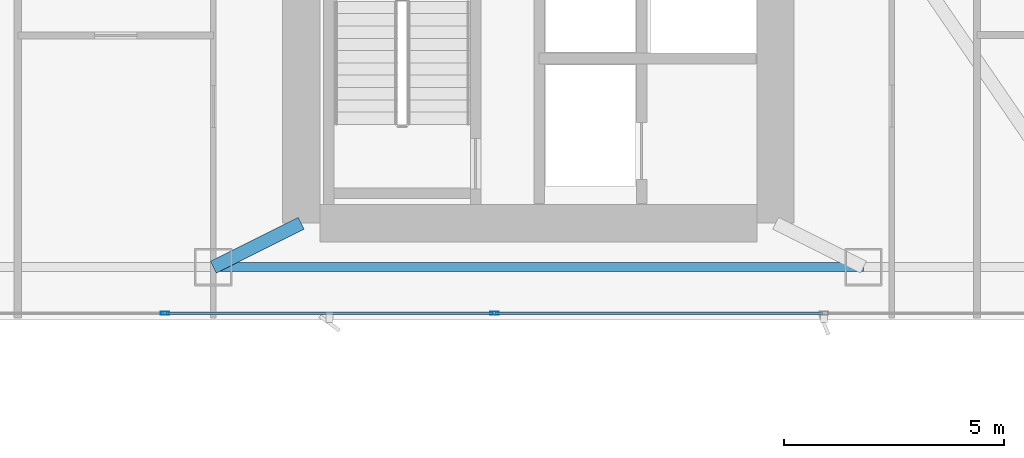
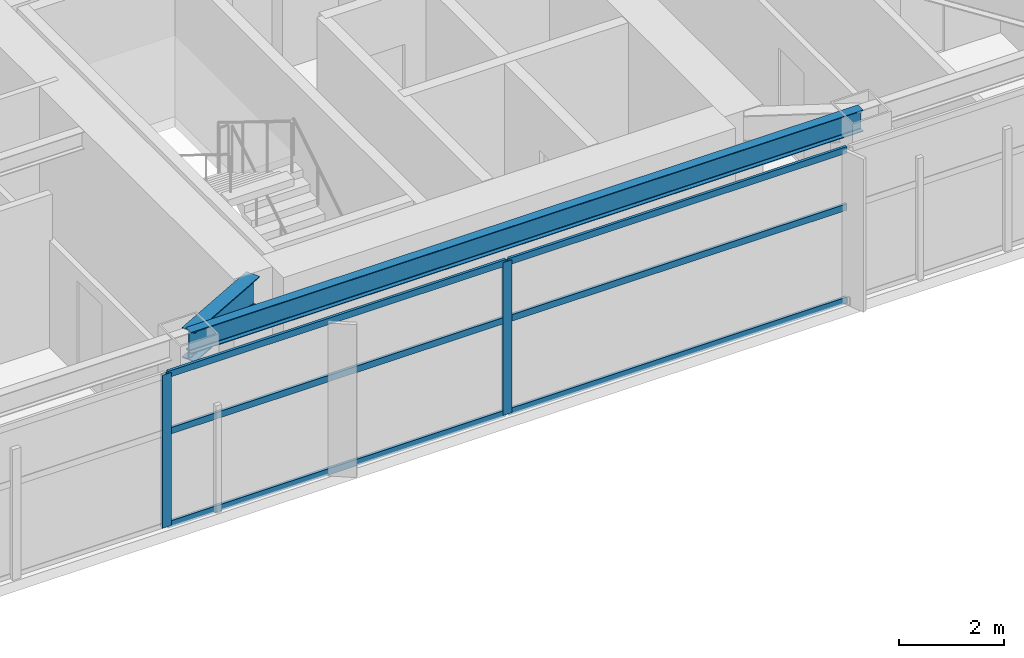
# One storey, part 6 of 29: 8 members, 2 beams, 1 element without a shape of its own.
"""IFC4 building model written with IfcOpenShell, lengths in metres."""

from ifc_helpers import new_model, si_unit, direction, frame, origin, origin_2d, place, context, subcontext, project, spatial, hollow_rectangle, i_section, extrude, material, layer, layer_set, material_profile, profile_set, type_object, element, aggregate, save


model = new_model("IFC4")

# Units and contexts
model_context = context("Model", 3, precision=1e-05, world=origin(), true_north=direction((0.0, 1.0)))
body_context = subcontext(model_context, "Body", "Model", "MODEL_VIEW")
ifc_project = project(units=[si_unit("LENGTHUNIT", "METRE"), si_unit("AREAUNIT", "SQUARE_METRE"), si_unit("VOLUMEUNIT", "CUBIC_METRE"), si_unit("PLANEANGLEUNIT", "RADIAN"), si_unit("MASSUNIT", "GRAM", prefix="KILO")], contexts=[model_context])

# Site, building, storey
site_placement = place(None, origin())
site = spatial("IfcSite", under=ifc_project, at=site_placement, CompositionType="ELEMENT")
building_placement = place(site_placement, origin())
building = spatial("IfcBuilding", under=site, at=building_placement, Name="Calvorn Quay Hotel", CompositionType="ELEMENT")
storey_placement = place(building_placement, frame((0.0, 0.0, 105.0)))
storey = spatial("IfcBuildingStorey", under=building, at=storey_placement, Name="L25", CompositionType="ELEMENT", Elevation=105.0)

# Beams
ifc_material_1 = material(Name="Steel Q390GJC", Category="steel")
ifc_material_profile_1 = material_profile(ifc_material_1, i_section(OverallWidth=0.300048828125, OverallDepth=0.699951171875, WebThickness=0.012939453125, FlangeThickness=0.02392578125, FilletRadius=0.02392578125, at=origin_2d()), Name="HN700x300x13x24")
ifc_profile_set_1 = profile_set([ifc_material_profile_1], Name="Steel Q390GJC")
beam_type_1 = type_object("IfcBeamType", Name="BM-GIRD-MAIN", PredefinedType="BEAM", material=ifc_profile_set_1)
beam_1_placement = place(storey_placement, frame((19.60009765625, 3.60009765625, 3.18994140625), z_axis=(0.894427191, 0.4472135955, 0.0), x_axis=(-0.4472135955, 0.894427191, 0.0)))
element("IfcBeam", 1, at=beam_1_placement, inside=storey, type_object=beam_type_1, Name="Beam BG-L25-S2", PredefinedType="BEAM", context=body_context, shape_type="SweptSolid", body=[
    extrude(i_section(OverallWidth=0.300048828125, OverallDepth=0.699951171875, WebThickness=0.012939453125, FlangeThickness=0.02392578125, FilletRadius=0.02392578125, at=origin_2d()), origin(), (0.0, 0.0, 1.0), 2.236083984375),
])
ifc_material_2 = material(Name="Steel Q355B", Category="steel")
ifc_material_profile_2 = material_profile(ifc_material_2, i_section(OverallWidth=0.199951171875, OverallDepth=0.5, WebThickness=0.010009765625, FlangeThickness=0.01611328125, FilletRadius=0.01611328125, at=origin_2d()), Name="HN500x200x10x16")
ifc_profile_set_2 = profile_set([ifc_material_profile_2], Name="Steel Q355B")
beam_type_2 = type_object("IfcBeamType", Name="BM-SPANDREL-Z1", PredefinedType="SPANDREL", material=ifc_profile_set_2)
beam_2_placement = place(storey_placement, frame((19.60009765625, 3.60009765625, 3.2900390625), z_axis=(1.0, 0.0, 0.0), x_axis=(0.0, 1.0, 0.0)))
element("IfcBeam", 2, at=beam_2_placement, inside=storey, type_object=beam_type_2, Name="Beam BSP-L25-S3", PredefinedType="SPANDREL", context=body_context, shape_type="SweptSolid", body=[
    extrude(i_section(OverallWidth=0.199951171875, OverallDepth=0.5, WebThickness=0.010009765625, FlangeThickness=0.01611328125, FilletRadius=0.01611328125, at=origin_2d()), origin(), (0.0, 0.0, 1.0), 14.7998046875),
])

# Curtain wall, members
ifc_material_3 = material(Name="Pale Anodised Aluminium and Low-E Glass", Category="aluminium")
ifc_layer = layer(ifc_material_3, 0.219970703125)
ifc_layer_set = layer_set([ifc_layer], Name="CW-SYS-Z2")
curtain_wall_type = type_object("IfcCurtainWallType", Name="CW-SYS-Z2", PredefinedType="NOTDEFINED", material=ifc_layer_set)
curtain_wall_placement = place(storey_placement, origin())
curtain_wall = element("IfcCurtainWall", 3, at=curtain_wall_placement, inside=storey, type_object=curtain_wall_type, Name="Tower South Waterfront Curtain Wall (L25)", PredefinedType="NOTDEFINED")
ifc_material_4 = material(Name="Pale Anodised Aluminium 6063-T6", Category="aluminium")
ifc_material_profile_3 = material_profile(ifc_material_4, hollow_rectangle(XDim=0.070068359375, YDim=0.199951171875, WallThickness=0.00390625, at=origin_2d()), Name="ALU-M200x70x4")
ifc_profile_set_3 = profile_set([ifc_material_profile_3], Name="Pale Anodised Aluminium 6063-T6")
member_type_1 = type_object("IfcMemberType", Name="CW-SYS-Z2-MUL", PredefinedType="MULLION", material=ifc_profile_set_3)
member_1_placement = place(storey_placement, frame((18.5, 2.550048828125, 0.0), z_axis=(0.0, 0.0, 1.0), x_axis=(0.0, 1.0, 0.0)))
member_1 = element("IfcMember", 4, at=member_1_placement, type_object=member_type_1, Name="CW-L25-S mullion 2", PredefinedType="MULLION", context=body_context, shape_type="SweptSolid", body=[
    extrude(hollow_rectangle(XDim=0.070068359375, YDim=0.199951171875, WallThickness=0.00390625, at=origin_2d()), origin(), (0.0, 0.0, 1.0), 3.56005859375),
])
member_2_placement = place(storey_placement, frame((26.0, 2.550048828125, 0.0), z_axis=(0.0, 0.0, 1.0), x_axis=(0.0, 1.0, 0.0)))
member_2 = element("IfcMember", 5, at=member_2_placement, type_object=member_type_1, Name="CW-L25-S mullion 3", PredefinedType="MULLION", context=body_context, shape_type="SweptSolid", body=[
    extrude(hollow_rectangle(XDim=0.070068359375, YDim=0.199951171875, WallThickness=0.00390625, at=origin_2d()), origin(), (0.0, 0.0, 1.0), 3.56005859375),
])
ifc_material_5 = material(Name="Pale Anodised Aluminium 6063-T6", Category="aluminium")
ifc_material_profile_4 = material_profile(ifc_material_5, hollow_rectangle(XDim=0.06005859375, YDim=0.14990234375, WallThickness=0.00341796875, at=origin_2d()), Name="ALU-T150x60x3.5")
ifc_profile_set_4 = profile_set([ifc_material_profile_4], Name="Pale Anodised Aluminium 6063-T6")
member_type_2 = type_object("IfcMemberType", Name="CW-SYS-Z2-TRN", PredefinedType="USERDEFINED", material=ifc_profile_set_4)
member_3_placement = place(storey_placement, frame((18.530029296875, 2.550048828125, 0.030029296875), z_axis=(1.0, 0.0, 0.0), x_axis=(0.0, 1.0, 0.0)))
member_3 = element("IfcMember", 6, at=member_3_placement, type_object=member_type_2, Name="CW-L25-S transom 2.1", ObjectType="TRANSOM", PredefinedType="USERDEFINED", context=body_context, shape_type="SweptSolid", body=[
    extrude(hollow_rectangle(XDim=0.06005859375, YDim=0.14990234375, WallThickness=0.00341796875, at=origin_2d()), origin(), (0.0, 0.0, 1.0), 7.43994140625),
])
member_4_placement = place(storey_placement, frame((18.530029296875, 2.550048828125, 2.199951171875), z_axis=(1.0, 0.0, 0.0), x_axis=(0.0, 1.0, 0.0)))
member_4 = element("IfcMember", 7, at=member_4_placement, type_object=member_type_2, Name="CW-L25-S transom 2.2", ObjectType="TRANSOM", PredefinedType="USERDEFINED", context=body_context, shape_type="SweptSolid", body=[
    extrude(hollow_rectangle(XDim=0.06005859375, YDim=0.14990234375, WallThickness=0.00341796875, at=origin_2d()), origin(), (0.0, 0.0, 1.0), 7.43994140625),
])
member_5_placement = place(storey_placement, frame((18.530029296875, 2.550048828125, 3.530029296875), z_axis=(1.0, 0.0, 0.0), x_axis=(0.0, 1.0, 0.0)))
member_5 = element("IfcMember", 8, at=member_5_placement, type_object=member_type_2, Name="CW-L25-S transom 2.3", ObjectType="TRANSOM", PredefinedType="USERDEFINED", context=body_context, shape_type="SweptSolid", body=[
    extrude(hollow_rectangle(XDim=0.06005859375, YDim=0.14990234375, WallThickness=0.00341796875, at=origin_2d()), origin(), (0.0, 0.0, 1.0), 7.43994140625),
])
member_6_placement = place(storey_placement, frame((26.030029296875, 2.550048828125, 0.030029296875), z_axis=(1.0, 0.0, 0.0), x_axis=(0.0, 1.0, 0.0)))
member_6 = element("IfcMember", 9, at=member_6_placement, type_object=member_type_2, Name="CW-L25-S transom 3.1", ObjectType="TRANSOM", PredefinedType="USERDEFINED", context=body_context, shape_type="SweptSolid", body=[
    extrude(hollow_rectangle(XDim=0.06005859375, YDim=0.14990234375, WallThickness=0.00341796875, at=origin_2d()), origin(), (0.0, 0.0, 1.0), 7.43994140625),
])
member_7_placement = place(storey_placement, frame((26.030029296875, 2.550048828125, 2.199951171875), z_axis=(1.0, 0.0, 0.0), x_axis=(0.0, 1.0, 0.0)))
member_7 = element("IfcMember", 10, at=member_7_placement, type_object=member_type_2, Name="CW-L25-S transom 3.2", ObjectType="TRANSOM", PredefinedType="USERDEFINED", context=body_context, shape_type="SweptSolid", body=[
    extrude(hollow_rectangle(XDim=0.06005859375, YDim=0.14990234375, WallThickness=0.00341796875, at=origin_2d()), origin(), (0.0, 0.0, 1.0), 7.43994140625),
])
member_8_placement = place(storey_placement, frame((26.030029296875, 2.550048828125, 3.530029296875), z_axis=(1.0, 0.0, 0.0), x_axis=(0.0, 1.0, 0.0)))
member_8 = element("IfcMember", 11, at=member_8_placement, type_object=member_type_2, Name="CW-L25-S transom 3.3", ObjectType="TRANSOM", PredefinedType="USERDEFINED", context=body_context, shape_type="SweptSolid", body=[
    extrude(hollow_rectangle(XDim=0.06005859375, YDim=0.14990234375, WallThickness=0.00341796875, at=origin_2d()), origin(), (0.0, 0.0, 1.0), 7.43994140625),
])
aggregate(curtain_wall, [member_1, member_2, member_3, member_4, member_5, member_6, member_7, member_8])

save(model, "model.ifc")
